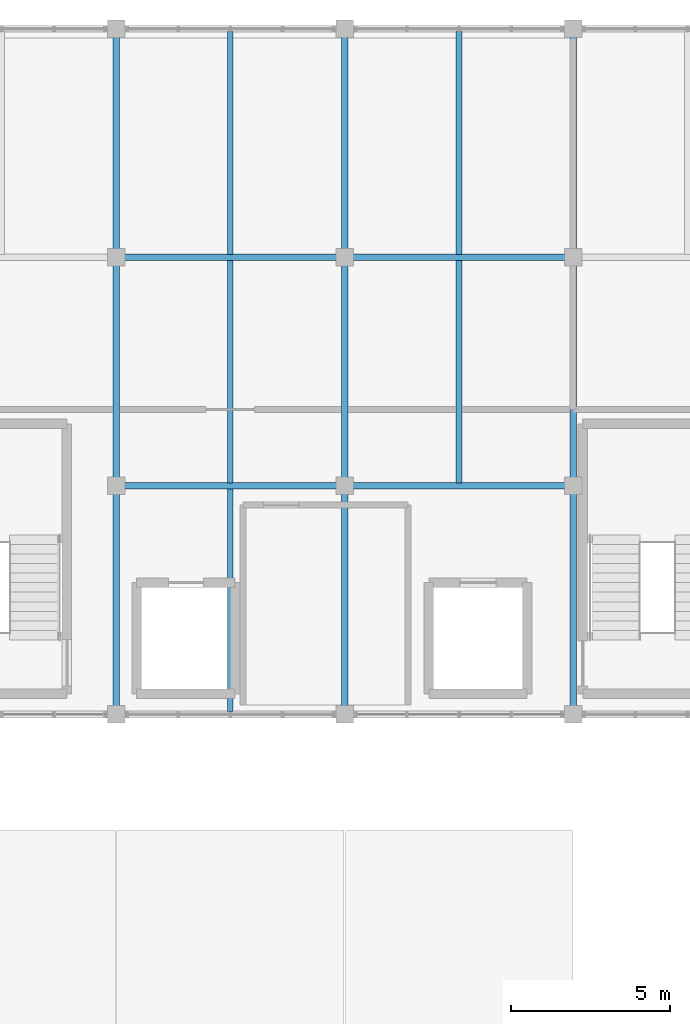
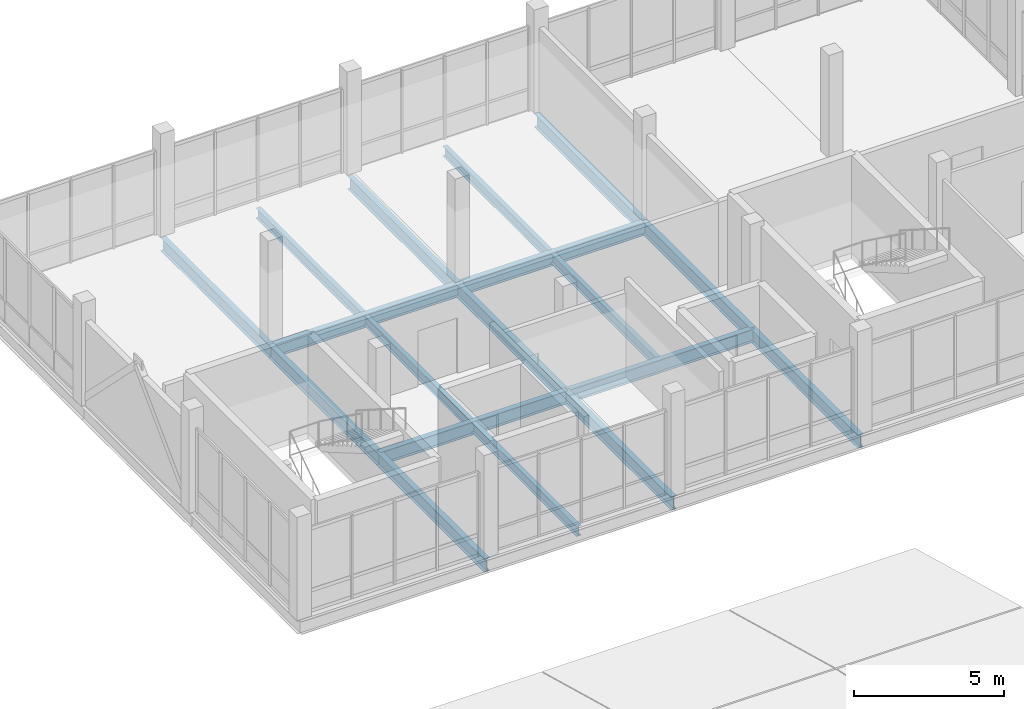
# One storey, part 18 of 47: 18 beams.
"""IFC4 building model written with IfcOpenShell, lengths in metres."""

from ifc_helpers import new_model, si_unit, direction, frame, origin, origin_2d, place, context, subcontext, project, spatial, i_section, extrude, material, material_profile, profile_set, type_object, element, save


model = new_model("IFC4")

# Units and contexts
model_context = context("Model", 3, precision=1e-05, world=origin(), true_north=direction((0.0, 1.0)))
body_context = subcontext(model_context, "Body", "Model", "MODEL_VIEW")
ifc_project = project(units=[si_unit("LENGTHUNIT", "METRE"), si_unit("AREAUNIT", "SQUARE_METRE"), si_unit("VOLUMEUNIT", "CUBIC_METRE"), si_unit("PLANEANGLEUNIT", "RADIAN"), si_unit("MASSUNIT", "GRAM", prefix="KILO")], contexts=[model_context])

# Site, building, storey
site_placement = place(None, origin())
site = spatial("IfcSite", under=ifc_project, at=site_placement, CompositionType="ELEMENT")
building_placement = place(site_placement, origin())
building = spatial("IfcBuilding", under=site, at=building_placement, Name="Yarey Park Central Fire Station", CompositionType="ELEMENT")
storey_placement = place(building_placement, frame((0.0, 0.0, 18.0)))
storey = spatial("IfcBuildingStorey", under=building, at=storey_placement, Name="L05", CompositionType="ELEMENT", Elevation=18.0)

# Beams
ifc_material = material(Name="Steel ASTM A992 Gr. 50", Category="steel")
ifc_material_profile_1 = material_profile(ifc_material, i_section(OverallWidth=0.208984375, OverallDepth=0.532958984375, WebThickness=0.01025390625, FlangeThickness=0.015625, at=origin_2d()), Name="W530x92")
ifc_profile_set_1 = profile_set([ifc_material_profile_1], Name="Steel ASTM A992 Gr. 50")
beam_type_1 = type_object("IfcBeamType", Name="STR_BM_W530", PredefinedType="BEAM", material=ifc_profile_set_1)
beam_1_placement = place(storey_placement, frame((122.39990234375, 100.800048828125, -0.506591796875), z_axis=(1.0, 0.0, 0.0), x_axis=(0.0, 1.0, 0.0)))
element("IfcBeam", 1, at=beam_1_placement, inside=storey, type_object=beam_type_1, Name="BMX L05 Y1008 X1224", PredefinedType="BEAM", context=body_context, shape_type="SweptSolid", body=[
    extrude(i_section(OverallWidth=0.208984375, OverallDepth=0.532958984375, WebThickness=0.01025390625, FlangeThickness=0.015625, at=origin_2d()), origin(), (0.0, 0.0, 1.0), 7.2001953125),
])
beam_2_placement = place(storey_placement, frame((129.60009765625, 100.800048828125, -0.506591796875), z_axis=(1.0, 0.0, 0.0), x_axis=(0.0, 1.0, 0.0)))
element("IfcBeam", 2, at=beam_2_placement, inside=storey, type_object=beam_type_1, Name="BMX L05 Y1008 X1296", PredefinedType="BEAM", context=body_context, shape_type="SweptSolid", body=[
    extrude(i_section(OverallWidth=0.208984375, OverallDepth=0.532958984375, WebThickness=0.01025390625, FlangeThickness=0.015625, at=origin_2d()), origin(), (0.0, 0.0, 1.0), 7.199951171875),
])
beam_3_placement = place(storey_placement, frame((122.39990234375, 108.0, -0.506591796875), z_axis=(1.0, 0.0, 0.0), x_axis=(0.0, 1.0, 0.0)))
element("IfcBeam", 3, at=beam_3_placement, inside=storey, type_object=beam_type_1, Name="BMX L05 Y1080 X1224", PredefinedType="BEAM", context=body_context, shape_type="SweptSolid", body=[
    extrude(i_section(OverallWidth=0.208984375, OverallDepth=0.532958984375, WebThickness=0.01025390625, FlangeThickness=0.015625, at=origin_2d()), origin(), (0.0, 0.0, 1.0), 7.2001953125),
])
for number, where, z_axis, x_axis, name in (
    (4, (129.60009765625, 108.0, -0.506591796875), (1.0, 0.0, 0.0), (0.0, 1.0, 0.0), "BMX L05 Y1080 X1296"),
    (5, (122.39990234375, 93.60009765625, -0.506591796875), (0.0, 1.0, 0.0), (-1.0, 0.0, 0.0), "BMY L05 X1224 Y936"),
    (6, (122.39990234375, 100.800048828125, -0.506591796875), (0.0, 1.0, 0.0), (-1.0, 0.0, 0.0), "BMY L05 X1224 Y1008"),
    (7, (122.39990234375, 108.0, -0.506591796875), (0.0, 1.0, 0.0), (-1.0, 0.0, 0.0), "BMY L05 X1224 Y1080"),
    (8, (129.60009765625, 93.60009765625, -0.506591796875), (0.0, 1.0, 0.0), (-1.0, 0.0, 0.0), "BMY L05 X1296 Y936"),
    (9, (129.60009765625, 100.800048828125, -0.506591796875), (0.0, 1.0, 0.0), (-1.0, 0.0, 0.0), "BMY L05 X1296 Y1008"),
    (10, (129.60009765625, 108.0, -0.506591796875), (0.0, 1.0, 0.0), (-1.0, 0.0, 0.0), "BMY L05 X1296 Y1080"),
    (11, (136.800048828125, 93.60009765625, -0.506591796875), (0.0, 1.0, 0.0), (-1.0, 0.0, 0.0), "BMY L05 X1368 Y936"),
    (12, (136.800048828125, 100.800048828125, -0.506591796875), (0.0, 1.0, 0.0), (-1.0, 0.0, 0.0), "BMY L05 X1368 Y1008"),
    (13, (136.800048828125, 108.0, -0.506591796875), (0.0, 1.0, 0.0), (-1.0, 0.0, 0.0), "BMY L05 X1368 Y1080"),
):
    element("IfcBeam", number, at=place(storey_placement, frame(where, z_axis=z_axis, x_axis=x_axis)), inside=storey, type_object=beam_type_1, Name=name, PredefinedType="BEAM", context=body_context, shape_type="SweptSolid", body=[
        extrude(i_section(OverallWidth=0.208984375, OverallDepth=0.532958984375, WebThickness=0.01025390625, FlangeThickness=0.015625, at=origin_2d()), origin(), (0.0, 0.0, 1.0), 7.199951171875),
    ])
ifc_material_profile_2 = material_profile(ifc_material, i_section(OverallWidth=0.177978515625, OverallDepth=0.406982421875, WebThickness=0.0078125, FlangeThickness=0.0126953125, at=origin_2d()), Name="W410x60")
ifc_profile_set_2 = profile_set([ifc_material_profile_2], Name="Steel ASTM A992 Gr. 50")
beam_type_2 = type_object("IfcBeamType", Name="STR_JST_W410", PredefinedType="JOIST", material=ifc_profile_set_2)
for number, where, z_axis, x_axis, name in (
    (14, (126.0, 93.695068359375, -0.443603515625), (0.0, 1.0, 0.0), (-1.0, 0.0, 0.0), "JST L05 X1260 Y936"),
    (15, (126.0, 100.89501953125, -0.443603515625), (0.0, 1.0, 0.0), (-1.0, 0.0, 0.0), "JST L05 X1260 Y1008"),
    (16, (126.0, 108.094970703125, -0.443603515625), (0.0, 1.0, 0.0), (-1.0, 0.0, 0.0), "JST L05 X1260 Y1080"),
    (17, (133.199951171875, 100.89501953125, -0.443603515625), (0.0, 1.0, 0.0), (-1.0, 0.0, 0.0), "JST L05 X1332 Y1008"),
    (18, (133.199951171875, 108.094970703125, -0.443603515625), (0.0, 1.0, 0.0), (-1.0, 0.0, 0.0), "JST L05 X1332 Y1080"),
):
    element("IfcBeam", number, at=place(storey_placement, frame(where, z_axis=z_axis, x_axis=x_axis)), inside=storey, type_object=beam_type_2, Name=name, PredefinedType="JOIST", context=body_context, shape_type="SweptSolid", body=[
        extrude(i_section(OverallWidth=0.177978515625, OverallDepth=0.406982421875, WebThickness=0.0078125, FlangeThickness=0.0126953125, at=origin_2d()), origin(), (0.0, 0.0, 1.0), 7.010009765625),
    ])

save(model, "model.ifc")
